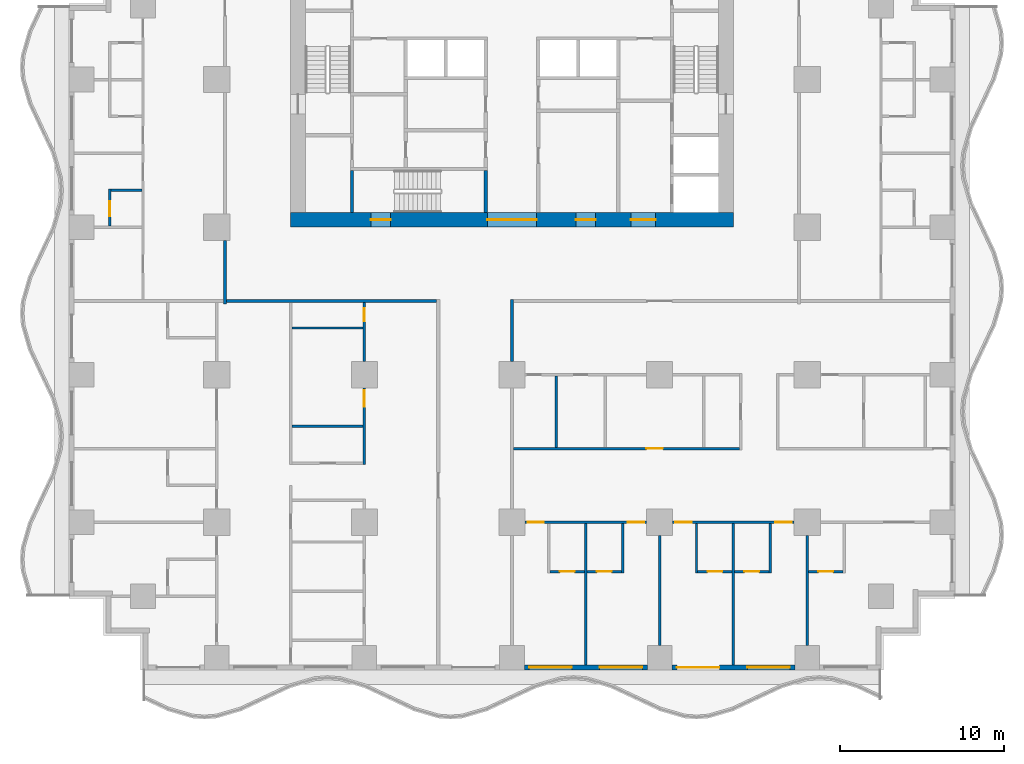
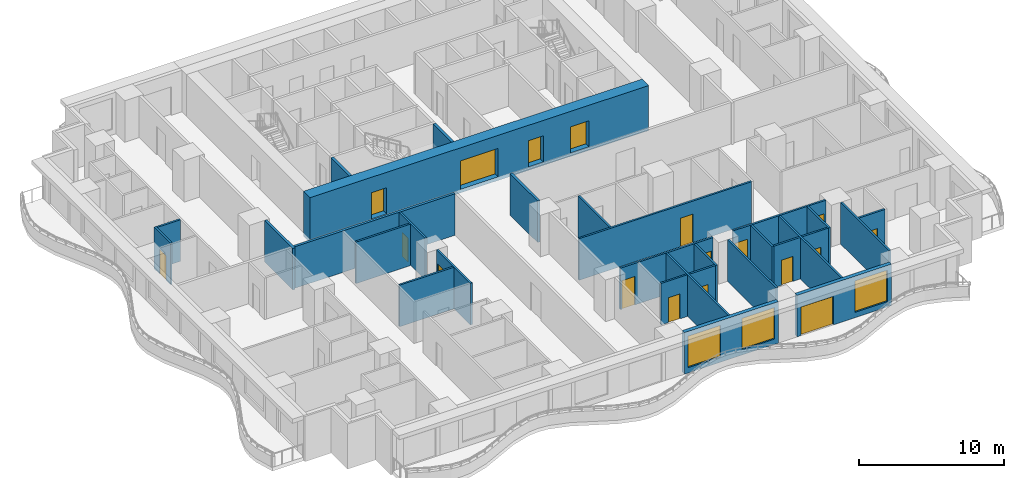
# One storey, part 3 of 14: 30 walls, 18 doors, 3 windows, 21 openings.
"""IFC4 building model written with IfcOpenShell, lengths in metres."""

from ifc_helpers import new_model, si_unit, direction, frame, frame_2d, origin, place, context, subcontext, project, spatial, rectangle, extrude, material, layer, layer_set, type_object, element, fill, save


model = new_model("IFC4")

# Units and contexts
model_context = context("Model", 3, precision=1e-05, world=origin(), true_north=direction((0.0, 1.0)))
body_context = subcontext(model_context, "Body", "Model", "MODEL_VIEW")
ifc_project = project(units=[si_unit("LENGTHUNIT", "METRE"), si_unit("AREAUNIT", "SQUARE_METRE"), si_unit("VOLUMEUNIT", "CUBIC_METRE"), si_unit("PLANEANGLEUNIT", "RADIAN"), si_unit("MASSUNIT", "GRAM", prefix="KILO")], contexts=[model_context])

# Site, building, storey
site_placement = place(None, origin())
site = spatial("IfcSite", under=ifc_project, at=site_placement, CompositionType="ELEMENT")
building_placement = place(site_placement, origin())
building = spatial("IfcBuilding", under=site, at=building_placement, Name="Orbiselva Terraces", CompositionType="ELEMENT")
storey_placement = place(building_placement, frame((0.0, 0.0, 15.0)))
storey = spatial("IfcBuildingStorey", under=building, at=storey_placement, Name="L03", CompositionType="ELEMENT", Elevation=15.0)

# Wall, openings, doors
ifc_material_1 = material(Name="Concrete C80/95", Category="concrete")
ifc_layer_1 = layer(ifc_material_1, 0.9)
ifc_layer_set_1 = layer_set([ifc_layer_1], Name="Concrete C80/95")
wall_type_1 = type_object("IfcWallType", Name="CORE WALL 900", PredefinedType="SHEAR", material=ifc_layer_set_1)
wall_1_placement = place(storey_placement, frame((-13.5, 4.95, -0.3), z_axis=(0.0, 0.0, 1.0), x_axis=(1.0, 0.0, 0.0)))
wall_1 = element("IfcWall", 1, at=wall_1_placement, inside=storey, type_object=wall_type_1, Name="Core wall L03 south", PredefinedType="SHEAR", context=body_context, shape_type="SweptSolid", body=[
    extrude(rectangle(XDim=27.0, YDim=0.9, at=frame_2d((13.5, 0.0))), origin(), (0.0, 0.0, 1.0), 3.8),
])
opening_1_placement = place(wall_1_placement, frame((12.0, 0.0, 0.3)))
opening_1 = element("IfcOpeningElement", 2, at=opening_1_placement, cuts=wall_1, Name="Opening DL3000", PredefinedType="OPENING", context=body_context, shape_type="SweptSolid", body=[
    extrude(rectangle(XDim=3.0, YDim=2.4, at=frame_2d((1.5, 1.2))), frame((0.0, 0.46, 0.0), z_axis=(0.0, -1.0, 0.0), x_axis=(1.0, 0.0, 0.0)), (0.0, 0.0, 1.0), 0.92),
])
opening_2_placement = place(wall_1_placement, frame((4.9, 0.0, 0.3)))
opening_2 = element("IfcOpeningElement", 3, at=opening_2_placement, cuts=wall_1, Name="Opening DS1200", PredefinedType="OPENING", context=body_context, shape_type="SweptSolid", body=[
    extrude(rectangle(XDim=1.2, YDim=2.2, at=frame_2d((0.6, 1.1))), frame((0.0, 0.46, 0.0), z_axis=(0.0, -1.0, 0.0), x_axis=(1.0, 0.0, 0.0)), (0.0, 0.0, 1.0), 0.92),
])
opening_3_placement = place(wall_1_placement, frame((20.75, 0.0, 0.3)))
opening_3 = element("IfcOpeningElement", 4, at=opening_3_placement, cuts=wall_1, Name="Opening DF1500", PredefinedType="OPENING", context=body_context, shape_type="SweptSolid", body=[
    extrude(rectangle(XDim=1.5, YDim=2.2, at=frame_2d((0.75, 1.1))), frame((0.0, 0.46, 0.0), z_axis=(0.0, -1.0, 0.0), x_axis=(1.0, 0.0, 0.0)), (0.0, 0.0, 1.0), 0.92),
])
opening_4_placement = place(wall_1_placement, frame((17.4, 0.0, 0.3)))
opening_4 = element("IfcOpeningElement", 5, at=opening_4_placement, cuts=wall_1, Name="Opening DV1200", PredefinedType="OPENING", context=body_context, shape_type="SweptSolid", body=[
    extrude(rectangle(XDim=1.2, YDim=2.2, at=frame_2d((0.6, 1.1))), frame((0.0, 0.46, 0.0), z_axis=(0.0, -1.0, 0.0), x_axis=(1.0, 0.0, 0.0)), (0.0, 0.0, 1.0), 0.92),
])
ifc_material_2 = material(Name="Steel fire door", Category="steel")
door_type_1 = type_object("IfcDoorType", Name="FFL DOOR 1500", OperationType="DOUBLE_DOOR_SINGLE_SWING", PredefinedType="DOOR", material=ifc_material_2)
door_1_placement = place(opening_3_placement, frame((1.5, 0.0, 0.0), z_axis=(0.0, 0.0, 1.0), x_axis=(-1.0, 0.0, 0.0)))
door_1 = element("IfcDoor", 6, at=door_1_placement, inside=storey, type_object=door_type_1, Name="L03 FIRE-FIGHTING LOBBY door", OperationType="DOUBLE_DOOR_SINGLE_SWING", OverallHeight=2.2, OverallWidth=1.5, PredefinedType="DOOR", context=body_context, shape_type="SweptSolid", body=[
    extrude(rectangle(XDim=1.5, YDim=2.2, at=frame_2d((0.75, 1.1))), frame((0.0, 0.025, 0.0), z_axis=(0.0, -1.0, 0.0), x_axis=(1.0, 0.0, 0.0)), (0.0, 0.0, 1.0), 0.05),
])
fill(opening_3, door_1)
door_type_2 = type_object("IfcDoorType", Name="LOBBY DOOR 3000", OperationType="DOUBLE_DOOR_SINGLE_SWING", PredefinedType="DOOR", material=ifc_material_2)
door_2_placement = place(opening_1_placement, frame((3.0, 0.0, 0.0), z_axis=(0.0, 0.0, 1.0), x_axis=(-1.0, 0.0, 0.0)))
door_2 = element("IfcDoor", 7, at=door_2_placement, inside=storey, type_object=door_type_2, Name="L03 LIFT LOBBY door", OperationType="DOUBLE_DOOR_SINGLE_SWING", OverallHeight=2.4, OverallWidth=3.0, PredefinedType="DOOR", context=body_context, shape_type="SweptSolid", body=[
    extrude(rectangle(XDim=3.0, YDim=2.4, at=frame_2d((1.5, 1.2))), frame((0.0, 0.025, 0.0), z_axis=(0.0, -1.0, 0.0), x_axis=(1.0, 0.0, 0.0)), (0.0, 0.0, 1.0), 0.05),
])
fill(opening_1, door_2)
door_type_3 = type_object("IfcDoorType", Name="SERVICE DOOR 1200", OperationType="NOTDEFINED", PredefinedType="DOOR", material=ifc_material_2)
door_3_placement = place(opening_4_placement, frame((1.2, 0.0, 0.0), z_axis=(0.0, 0.0, 1.0), x_axis=(-1.0, 0.0, 0.0)))
door_3 = element("IfcDoor", 8, at=door_3_placement, inside=storey, type_object=door_type_3, Name="L03 SERVICE ROOM door", OperationType="SINGLE_SWING_RIGHT", OverallHeight=2.2, OverallWidth=1.2, PredefinedType="DOOR", context=body_context, shape_type="SweptSolid", body=[
    extrude(rectangle(XDim=1.2, YDim=2.2, at=frame_2d((0.6, 1.1))), frame((0.0, 0.025, 0.0), z_axis=(0.0, -1.0, 0.0), x_axis=(1.0, 0.0, 0.0)), (0.0, 0.0, 1.0), 0.05),
])
fill(opening_4, door_3)
door_type_4 = type_object("IfcDoorType", Name="STAIR DOOR 1200", OperationType="NOTDEFINED", PredefinedType="DOOR", material=ifc_material_2)
door_4_placement = place(opening_2_placement, frame((1.2, 0.0, 0.0), z_axis=(0.0, 0.0, 1.0), x_axis=(-1.0, 0.0, 0.0)))
door_4 = element("IfcDoor", 9, at=door_4_placement, inside=storey, type_object=door_type_4, Name="L03 EXIT STAIR S3 door", OperationType="SINGLE_SWING_LEFT", OverallHeight=2.2, OverallWidth=1.2, PredefinedType="DOOR", context=body_context, shape_type="SweptSolid", body=[
    extrude(rectangle(XDim=1.2, YDim=2.2, at=frame_2d((0.6, 1.1))), frame((0.0, 0.025, 0.0), z_axis=(0.0, -1.0, 0.0), x_axis=(1.0, 0.0, 0.0)), (0.0, 0.0, 1.0), 0.05),
])
fill(opening_2, door_4)

# Walls
ifc_material_3 = material(Name="Concrete C60/75", Category="concrete")
ifc_layer_2 = layer(ifc_material_3, 0.2)
ifc_layer_set_2 = layer_set([ifc_layer_2], Name="Concrete C60/75")
wall_type_2 = type_object("IfcWallType", Name="CORE-WALL-SHEAR-200", PredefinedType="SHEAR", material=ifc_layer_set_2)
for number, where, z_axis, x_axis, name in (
    (10, (-9.75, 5.4, 0.0), (0.0, 0.0, 1.0), (0.0, 1.0, 0.0), "L03 core wall 03"),
    (11, (-1.6, 5.4, 0.0), (0.0, 0.0, 1.0), (0.0, 1.0, 0.0), "L03 core wall 24"),
):
    element("IfcWall", number, at=place(storey_placement, frame(where, z_axis=z_axis, x_axis=x_axis)), inside=storey, type_object=wall_type_2, Name=name, PredefinedType="SHEAR", context=body_context, shape_type="SweptSolid", body=[
        extrude(rectangle(XDim=2.55, YDim=0.2, at=frame_2d((1.275, 0.0))), origin(), (0.0, 0.0, 1.0), 3.5),
    ])

# Wall, openings, windows
ifc_material_4 = material(Name="Terracotta cladding on masonry backing", Category="masonry")
ifc_layer_3 = layer(ifc_material_4, 0.3)
ifc_layer_set_3 = layer_set([ifc_layer_3], Name="Terracotta cladding on masonry backing")
wall_type_3 = type_object("IfcWallType", Name="ENV-WALL-TERRACOTTA-300", PredefinedType="SOLIDWALL", material=ifc_layer_set_3)
wall_2_placement = place(storey_placement, frame((8.25, -22.35, 0.0), z_axis=(0.0, 0.0, 1.0), x_axis=(-1.0, 0.0, 0.0)))
wall_2 = element("IfcWall", 12, at=wall_2_placement, inside=storey, type_object=wall_type_3, Name="Facade wall L03 S", PredefinedType="SOLIDWALL", context=body_context, shape_type="SweptSolid", body=[
    extrude(rectangle(XDim=7.5, YDim=0.3, at=frame_2d((3.75, 0.0))), origin(), (0.0, 0.0, 1.0), 3.5),
])
opening_5_placement = place(wall_2_placement, frame((4.6, 0.0, 0.45)))
opening_5 = element("IfcOpeningElement", 13, at=opening_5_placement, cuts=wall_2, Name="Opening WN1", PredefinedType="OPENING", context=body_context, shape_type="SweptSolid", body=[
    extrude(rectangle(XDim=2.6, YDim=2.65, at=frame_2d((1.3, 1.325))), frame((0.0, 0.16, 0.0), z_axis=(0.0, -1.0, 0.0), x_axis=(1.0, 0.0, 0.0)), (0.0, 0.0, 1.0), 0.32),
])
opening_6_placement = place(wall_2_placement, frame((0.3, 0.0, 0.45)))
opening_6 = element("IfcOpeningElement", 14, at=opening_6_placement, cuts=wall_2, Name="Opening WN1", PredefinedType="OPENING", context=body_context, shape_type="SweptSolid", body=[
    extrude(rectangle(XDim=2.6, YDim=2.65, at=frame_2d((1.3, 1.325))), frame((0.0, 0.16, 0.0), z_axis=(0.0, -1.0, 0.0), x_axis=(1.0, 0.0, 0.0)), (0.0, 0.0, 1.0), 0.32),
])
ifc_material_5 = material(Name="Clear low-e glazing in aluminium frame", Category="aluminium")
window_type = type_object("IfcWindowType", Name="WINDOW 2600 X 2650 S450", PartitioningType="TRIPLE_PANEL_VERTICAL", PredefinedType="WINDOW", material=ifc_material_5)
window_1_placement = place(opening_5_placement, origin())
window_1 = element("IfcWindow", 15, at=window_1_placement, inside=storey, type_object=window_type, Name="Window L03 S", OverallHeight=2.65, OverallWidth=2.6, PartitioningType="SINGLE_PANEL", PredefinedType="WINDOW", context=body_context, shape_type="SweptSolid", body=[
    extrude(rectangle(XDim=2.6, YDim=2.65, at=frame_2d((1.3, 1.325))), frame((0.0, 0.03, 0.0), z_axis=(0.0, -1.0, 0.0), x_axis=(1.0, 0.0, 0.0)), (0.0, 0.0, 1.0), 0.06),
])
fill(opening_5, window_1)
window_2_placement = place(opening_6_placement, origin())
window_2 = element("IfcWindow", 16, at=window_2_placement, inside=storey, type_object=window_type, Name="Window L03 S", OverallHeight=2.65, OverallWidth=2.6, PartitioningType="SINGLE_PANEL", PredefinedType="WINDOW", context=body_context, shape_type="SweptSolid", body=[
    extrude(rectangle(XDim=2.6, YDim=2.65, at=frame_2d((1.3, 1.325))), frame((0.0, 0.03, 0.0), z_axis=(0.0, -1.0, 0.0), x_axis=(1.0, 0.0, 0.0)), (0.0, 0.0, 1.0), 0.06),
])
fill(opening_6, window_2)

# Wall, openings, door, window
wall_3_placement = place(storey_placement, frame((17.25, -22.35, 0.0), z_axis=(0.0, 0.0, 1.0), x_axis=(-1.0, 0.0, 0.0)))
wall_3 = element("IfcWall", 17, at=wall_3_placement, inside=storey, type_object=wall_type_3, Name="Facade wall L03 S", PredefinedType="SOLIDWALL", context=body_context, shape_type="SweptSolid", body=[
    extrude(rectangle(XDim=7.5, YDim=0.3, at=frame_2d((3.75, 0.0))), origin(), (0.0, 0.0, 1.0), 3.5),
])
opening_7_placement = place(wall_3_placement, frame((4.6, 0.0, 0.0)))
opening_7 = element("IfcOpeningElement", 18, at=opening_7_placement, cuts=wall_3, Name="Opening Z1-A-E03", PredefinedType="OPENING", context=body_context, shape_type="SweptSolid", body=[
    extrude(rectangle(XDim=2.6, YDim=2.4, at=frame_2d((1.3, 1.2))), frame((0.0, 0.16, 0.0), z_axis=(0.0, -1.0, 0.0), x_axis=(1.0, 0.0, 0.0)), (0.0, 0.0, 1.0), 0.32),
])
opening_8_placement = place(wall_3_placement, frame((0.3, 0.0, 0.45)))
opening_8 = element("IfcOpeningElement", 19, at=opening_8_placement, cuts=wall_3, Name="Opening WN1", PredefinedType="OPENING", context=body_context, shape_type="SweptSolid", body=[
    extrude(rectangle(XDim=2.6, YDim=2.65, at=frame_2d((1.3, 1.325))), frame((0.0, 0.16, 0.0), z_axis=(0.0, -1.0, 0.0), x_axis=(1.0, 0.0, 0.0)), (0.0, 0.0, 1.0), 0.32),
])
door_type_5 = type_object("IfcDoorType", Name="BALCONY DOOR 2600 X 2400", OperationType="DOUBLE_DOOR_SLIDING", PredefinedType="DOOR", material=ifc_material_5)
door_5_placement = place(opening_7_placement, origin())
door_5 = element("IfcDoor", 20, at=door_5_placement, inside=storey, type_object=door_type_5, Name="Z1-A-E03", OperationType="SINGLE_SWING_LEFT", OverallHeight=2.4, OverallWidth=2.6, PredefinedType="DOOR", context=body_context, shape_type="SweptSolid", body=[
    extrude(rectangle(XDim=2.6, YDim=2.4, at=frame_2d((1.3, 1.2))), frame((0.0, 0.025, 0.0), z_axis=(0.0, -1.0, 0.0), x_axis=(1.0, 0.0, 0.0)), (0.0, 0.0, 1.0), 0.05),
])
fill(opening_7, door_5)
window_3_placement = place(opening_8_placement, origin())
window_3 = element("IfcWindow", 21, at=window_3_placement, inside=storey, type_object=window_type, Name="Window L03 S", OverallHeight=2.65, OverallWidth=2.6, PartitioningType="SINGLE_PANEL", PredefinedType="WINDOW", context=body_context, shape_type="SweptSolid", body=[
    extrude(rectangle(XDim=2.6, YDim=2.65, at=frame_2d((1.3, 1.325))), frame((0.0, 0.03, 0.0), z_axis=(0.0, -1.0, 0.0), x_axis=(1.0, 0.0, 0.0)), (0.0, 0.0, 1.0), 0.06),
])
fill(opening_8, window_3)

# Walls
ifc_material_6 = material(Name="Plasterboard on steel stud partition", Category="steel")
ifc_layer_4 = layer(ifc_material_6, 0.2)
ifc_layer_set_4 = layer_set([ifc_layer_4], Name="Plasterboard on steel stud partition")
wall_type_4 = type_object("IfcWallType", Name="UNIT-ENTRANCE-WALL-200", PredefinedType="PARTITIONING", material=ifc_layer_set_4)
wall_4_placement = place(storey_placement, frame((-17.4, 0.0, 0.0), z_axis=(0.0, 0.0, 1.0), x_axis=(1.0, 0.0, 0.0)))
element("IfcWall", 22, at=wall_4_placement, inside=storey, type_object=wall_type_4, Name="PARTITION L03-029", PredefinedType="PARTITIONING", context=body_context, shape_type="SweptSolid", body=[
    extrude(rectangle(XDim=12.8, YDim=0.2, at=frame_2d((6.4, 0.0))), origin(), (0.0, 0.0, 1.0), 3.5),
])
wall_5_placement = place(storey_placement, frame((-17.5, -0.2, 0.0), z_axis=(0.0, 0.0, 1.0), x_axis=(0.0, 1.0, 0.0)))
element("IfcWall", 23, at=wall_5_placement, inside=storey, type_object=wall_type_4, Name="PARTITION L03-057", PredefinedType="PARTITIONING", context=body_context, shape_type="SweptSolid", body=[
    extrude(rectangle(XDim=3.9, YDim=0.2, at=frame_2d((1.95, 0.0))), origin(), (0.0, 0.0, 1.0), 3.5),
])
wall_6_placement = place(storey_placement, frame((0.0, -3.7, 0.0), z_axis=(0.0, 0.0, 1.0), x_axis=(0.0, 1.0, 0.0)))
element("IfcWall", 24, at=wall_6_placement, inside=storey, type_object=wall_type_4, Name="PARTITION L03-069", PredefinedType="PARTITIONING", context=body_context, shape_type="SweptSolid", body=[
    extrude(rectangle(XDim=3.8, YDim=0.2, at=frame_2d((1.9, 0.0))), origin(), (0.0, 0.0, 1.0), 3.5),
])

# Wall, opening, door
ifc_layer_5 = layer(ifc_material_6, 0.15)
ifc_layer_set_5 = layer_set([ifc_layer_5], Name="Plasterboard on steel stud partition")
wall_type_5 = type_object("IfcWallType", Name="UNIT-PARTITION-150", PredefinedType="PARTITIONING", material=ifc_layer_set_5)
wall_7_placement = place(storey_placement, frame((2.325, -16.5, 0.0), z_axis=(0.0, 0.0, 1.0), x_axis=(1.0, 0.0, 0.0)))
wall_7 = element("IfcWall", 25, at=wall_7_placement, inside=storey, type_object=wall_type_5, Name="PARTITION L03-005", PredefinedType="PARTITIONING", context=body_context, shape_type="SweptSolid", body=[
    extrude(rectangle(XDim=2.1, YDim=0.15, at=frame_2d((1.05, 0.0))), origin(), (0.0, 0.0, 1.0), 3.5),
])
opening_9_placement = place(wall_7_placement, frame((0.6, 0.0, 0.0)))
opening_9 = element("IfcOpeningElement", 26, at=opening_9_placement, cuts=wall_7, Name="Opening Z1-A-41", PredefinedType="OPENING", context=body_context, shape_type="SweptSolid", body=[
    extrude(rectangle(XDim=0.9, YDim=2.1, at=frame_2d((0.45, 1.05))), frame((0.0, 0.085, 0.0), z_axis=(0.0, -1.0, 0.0), x_axis=(1.0, 0.0, 0.0)), (0.0, 0.0, 1.0), 0.17),
])
ifc_material_7 = material(Name="Painted timber door leaf", Category="wood")
door_type_6 = type_object("IfcDoorType", Name="BATH DOOR 900", OperationType="NOTDEFINED", PredefinedType="DOOR", material=ifc_material_7)
door_6_placement = place(opening_9_placement, origin())
door_6 = element("IfcDoor", 27, at=door_6_placement, inside=storey, type_object=door_type_6, Name="Z1-A-41", OperationType="SINGLE_SWING_RIGHT", OverallHeight=2.1, OverallWidth=0.9, PredefinedType="DOOR", context=body_context, shape_type="SweptSolid", body=[
    extrude(rectangle(XDim=0.9, YDim=2.1, at=frame_2d((0.45, 1.05))), frame((0.0, 0.025, 0.0), z_axis=(0.0, -1.0, 0.0), x_axis=(1.0, 0.0, 0.0)), (0.0, 0.0, 1.0), 0.05),
])
fill(opening_9, door_6)

wall_8_placement = place(storey_placement, frame((4.575, -16.5, 0.0), z_axis=(0.0, 0.0, 1.0), x_axis=(1.0, 0.0, 0.0)))
wall_8 = element("IfcWall", 28, at=wall_8_placement, inside=storey, type_object=wall_type_5, Name="PARTITION L03-006", PredefinedType="PARTITIONING", context=body_context, shape_type="SweptSolid", body=[
    extrude(rectangle(XDim=2.1, YDim=0.15, at=frame_2d((1.05, 0.0))), origin(), (0.0, 0.0, 1.0), 3.5),
])
opening_10_placement = place(wall_8_placement, frame((0.6, 0.0, 0.0)))
opening_10 = element("IfcOpeningElement", 29, at=opening_10_placement, cuts=wall_8, Name="Opening Z1-A-43", PredefinedType="OPENING", context=body_context, shape_type="SweptSolid", body=[
    extrude(rectangle(XDim=0.9, YDim=2.1, at=frame_2d((0.45, 1.05))), frame((0.0, 0.085, 0.0), z_axis=(0.0, -1.0, 0.0), x_axis=(1.0, 0.0, 0.0)), (0.0, 0.0, 1.0), 0.17),
])
door_7_placement = place(opening_10_placement, origin())
door_7 = element("IfcDoor", 30, at=door_7_placement, inside=storey, type_object=door_type_6, Name="Z1-A-43", OperationType="SINGLE_SWING_LEFT", OverallHeight=2.1, OverallWidth=0.9, PredefinedType="DOOR", context=body_context, shape_type="SweptSolid", body=[
    extrude(rectangle(XDim=0.9, YDim=2.1, at=frame_2d((0.45, 1.05))), frame((0.0, 0.025, 0.0), z_axis=(0.0, -1.0, 0.0), x_axis=(1.0, 0.0, 0.0)), (0.0, 0.0, 1.0), 0.05),
])
fill(opening_10, door_7)

wall_9_placement = place(storey_placement, frame((11.325, -16.5, 0.0), z_axis=(0.0, 0.0, 1.0), x_axis=(1.0, 0.0, 0.0)))
wall_9 = element("IfcWall", 31, at=wall_9_placement, inside=storey, type_object=wall_type_5, Name="PARTITION L03-007", PredefinedType="PARTITIONING", context=body_context, shape_type="SweptSolid", body=[
    extrude(rectangle(XDim=2.1, YDim=0.15, at=frame_2d((1.05, 0.0))), origin(), (0.0, 0.0, 1.0), 3.5),
])
opening_11_placement = place(wall_9_placement, frame((0.6, 0.0, 0.0)))
opening_11 = element("IfcOpeningElement", 32, at=opening_11_placement, cuts=wall_9, Name="Opening Z1-A-45", PredefinedType="OPENING", context=body_context, shape_type="SweptSolid", body=[
    extrude(rectangle(XDim=0.9, YDim=2.1, at=frame_2d((0.45, 1.05))), frame((0.0, 0.085, 0.0), z_axis=(0.0, -1.0, 0.0), x_axis=(1.0, 0.0, 0.0)), (0.0, 0.0, 1.0), 0.17),
])
door_8_placement = place(opening_11_placement, origin())
door_8 = element("IfcDoor", 33, at=door_8_placement, inside=storey, type_object=door_type_6, Name="Z1-A-45", OperationType="SINGLE_SWING_LEFT", OverallHeight=2.1, OverallWidth=0.9, PredefinedType="DOOR", context=body_context, shape_type="SweptSolid", body=[
    extrude(rectangle(XDim=0.9, YDim=2.1, at=frame_2d((0.45, 1.05))), frame((0.0, 0.025, 0.0), z_axis=(0.0, -1.0, 0.0), x_axis=(1.0, 0.0, 0.0)), (0.0, 0.0, 1.0), 0.05),
])
fill(opening_11, door_8)

wall_10_placement = place(storey_placement, frame((13.575, -16.5, 0.0), z_axis=(0.0, 0.0, 1.0), x_axis=(1.0, 0.0, 0.0)))
wall_10 = element("IfcWall", 34, at=wall_10_placement, inside=storey, type_object=wall_type_5, Name="PARTITION L03-008", PredefinedType="PARTITIONING", context=body_context, shape_type="SweptSolid", body=[
    extrude(rectangle(XDim=2.1, YDim=0.15, at=frame_2d((1.05, 0.0))), origin(), (0.0, 0.0, 1.0), 3.5),
])
opening_12_placement = place(wall_10_placement, frame((0.6, 0.0, 0.0)))
opening_12 = element("IfcOpeningElement", 35, at=opening_12_placement, cuts=wall_10, Name="Opening Z1-A-47", PredefinedType="OPENING", context=body_context, shape_type="SweptSolid", body=[
    extrude(rectangle(XDim=0.9, YDim=2.1, at=frame_2d((0.45, 1.05))), frame((0.0, 0.085, 0.0), z_axis=(0.0, -1.0, 0.0), x_axis=(1.0, 0.0, 0.0)), (0.0, 0.0, 1.0), 0.17),
])
door_9_placement = place(opening_12_placement, origin())
door_9 = element("IfcDoor", 36, at=door_9_placement, inside=storey, type_object=door_type_6, Name="Z1-A-47", OperationType="SINGLE_SWING_LEFT", OverallHeight=2.1, OverallWidth=0.9, PredefinedType="DOOR", context=body_context, shape_type="SweptSolid", body=[
    extrude(rectangle(XDim=0.9, YDim=2.1, at=frame_2d((0.45, 1.05))), frame((0.0, 0.025, 0.0), z_axis=(0.0, -1.0, 0.0), x_axis=(1.0, 0.0, 0.0)), (0.0, 0.0, 1.0), 0.05),
])
fill(opening_12, door_9)

wall_11_placement = place(storey_placement, frame((18.075, -16.5, 0.0), z_axis=(0.0, 0.0, 1.0), x_axis=(1.0, 0.0, 0.0)))
wall_11 = element("IfcWall", 37, at=wall_11_placement, inside=storey, type_object=wall_type_5, Name="PARTITION L03-009", PredefinedType="PARTITIONING", context=body_context, shape_type="SweptSolid", body=[
    extrude(rectangle(XDim=2.1, YDim=0.15, at=frame_2d((1.05, 0.0))), origin(), (0.0, 0.0, 1.0), 3.5),
])
opening_13_placement = place(wall_11_placement, frame((0.6, 0.0, 0.0)))
opening_13 = element("IfcOpeningElement", 38, at=opening_13_placement, cuts=wall_11, Name="Opening Z1-A-49", PredefinedType="OPENING", context=body_context, shape_type="SweptSolid", body=[
    extrude(rectangle(XDim=0.9, YDim=2.1, at=frame_2d((0.45, 1.05))), frame((0.0, 0.085, 0.0), z_axis=(0.0, -1.0, 0.0), x_axis=(1.0, 0.0, 0.0)), (0.0, 0.0, 1.0), 0.17),
])
door_10_placement = place(opening_13_placement, origin())
door_10 = element("IfcDoor", 39, at=door_10_placement, inside=storey, type_object=door_type_6, Name="Z1-A-49", OperationType="SINGLE_SWING_LEFT", OverallHeight=2.1, OverallWidth=0.9, PredefinedType="DOOR", context=body_context, shape_type="SweptSolid", body=[
    extrude(rectangle(XDim=0.9, YDim=2.1, at=frame_2d((0.45, 1.05))), frame((0.0, 0.025, 0.0), z_axis=(0.0, -1.0, 0.0), x_axis=(1.0, 0.0, 0.0)), (0.0, 0.0, 1.0), 0.05),
])
fill(opening_13, door_10)

# Wall, openings, doors
wall_12_placement = place(storey_placement, frame((8.2, -13.5, 0.0), z_axis=(0.0, 0.0, 1.0), x_axis=(-1.0, 0.0, 0.0)))
wall_12 = element("IfcWall", 40, at=wall_12_placement, inside=storey, type_object=wall_type_5, Name="PARTITION L03-013", PredefinedType="PARTITIONING", context=body_context, shape_type="SweptSolid", body=[
    extrude(rectangle(XDim=7.4, YDim=0.15, at=frame_2d((3.7, 0.0))), origin(), (0.0, 0.0, 1.0), 3.5),
])
opening_14_placement = place(wall_12_placement, frame((6.25, 0.0, 0.0)))
opening_14 = element("IfcOpeningElement", 41, at=opening_14_placement, cuts=wall_12, Name="Opening Z1-A-40", PredefinedType="OPENING", context=body_context, shape_type="SweptSolid", body=[
    extrude(rectangle(XDim=1.0, YDim=2.4, at=frame_2d((0.5, 1.2))), frame((0.0, 0.085, 0.0), z_axis=(0.0, -1.0, 0.0), x_axis=(1.0, 0.0, 0.0)), (0.0, 0.0, 1.0), 0.17),
])
opening_15_placement = place(wall_12_placement, frame((0.15, 0.0, 0.0)))
opening_15 = element("IfcOpeningElement", 42, at=opening_15_placement, cuts=wall_12, Name="Opening Z1-A-42", PredefinedType="OPENING", context=body_context, shape_type="SweptSolid", body=[
    extrude(rectangle(XDim=1.0, YDim=2.4, at=frame_2d((0.5, 1.2))), frame((0.0, 0.085, 0.0), z_axis=(0.0, -1.0, 0.0), x_axis=(1.0, 0.0, 0.0)), (0.0, 0.0, 1.0), 0.17),
])
door_type_7 = type_object("IfcDoorType", Name="ROOM DOOR 1000", OperationType="NOTDEFINED", PredefinedType="DOOR", material=ifc_material_7)
door_11_placement = place(opening_14_placement, origin())
door_11 = element("IfcDoor", 43, at=door_11_placement, inside=storey, type_object=door_type_7, Name="Z1-A-40", OperationType="SINGLE_SWING_RIGHT", OverallHeight=2.4, OverallWidth=1.0, PredefinedType="DOOR", context=body_context, shape_type="SweptSolid", body=[
    extrude(rectangle(XDim=1.0, YDim=2.4, at=frame_2d((0.5, 1.2))), frame((0.0, 0.025, 0.0), z_axis=(0.0, -1.0, 0.0), x_axis=(1.0, 0.0, 0.0)), (0.0, 0.0, 1.0), 0.05),
])
fill(opening_14, door_11)
door_12_placement = place(opening_15_placement, origin())
door_12 = element("IfcDoor", 44, at=door_12_placement, inside=storey, type_object=door_type_7, Name="Z1-A-42", OperationType="SINGLE_SWING_LEFT", OverallHeight=2.4, OverallWidth=1.0, PredefinedType="DOOR", context=body_context, shape_type="SweptSolid", body=[
    extrude(rectangle(XDim=1.0, YDim=2.4, at=frame_2d((0.5, 1.2))), frame((0.0, 0.025, 0.0), z_axis=(0.0, -1.0, 0.0), x_axis=(1.0, 0.0, 0.0)), (0.0, 0.0, 1.0), 0.05),
])
fill(opening_15, door_12)

wall_13_placement = place(storey_placement, frame((17.2, -13.5, 0.0), z_axis=(0.0, 0.0, 1.0), x_axis=(-1.0, 0.0, 0.0)))
wall_13 = element("IfcWall", 45, at=wall_13_placement, inside=storey, type_object=wall_type_5, Name="PARTITION L03-014", PredefinedType="PARTITIONING", context=body_context, shape_type="SweptSolid", body=[
    extrude(rectangle(XDim=7.4, YDim=0.15, at=frame_2d((3.7, 0.0))), origin(), (0.0, 0.0, 1.0), 3.5),
])
opening_16_placement = place(wall_13_placement, frame((6.25, 0.0, 0.0)))
opening_16 = element("IfcOpeningElement", 46, at=opening_16_placement, cuts=wall_13, Name="Opening Z1-A-44", PredefinedType="OPENING", context=body_context, shape_type="SweptSolid", body=[
    extrude(rectangle(XDim=1.0, YDim=2.4, at=frame_2d((0.5, 1.2))), frame((0.0, 0.085, 0.0), z_axis=(0.0, -1.0, 0.0), x_axis=(1.0, 0.0, 0.0)), (0.0, 0.0, 1.0), 0.17),
])
opening_17_placement = place(wall_13_placement, frame((0.15, 0.0, 0.0)))
opening_17 = element("IfcOpeningElement", 47, at=opening_17_placement, cuts=wall_13, Name="Opening Z1-A-46", PredefinedType="OPENING", context=body_context, shape_type="SweptSolid", body=[
    extrude(rectangle(XDim=1.0, YDim=2.4, at=frame_2d((0.5, 1.2))), frame((0.0, 0.085, 0.0), z_axis=(0.0, -1.0, 0.0), x_axis=(1.0, 0.0, 0.0)), (0.0, 0.0, 1.0), 0.17),
])
door_13_placement = place(opening_16_placement, origin())
door_13 = element("IfcDoor", 48, at=door_13_placement, inside=storey, type_object=door_type_7, Name="Z1-A-44", OperationType="SINGLE_SWING_RIGHT", OverallHeight=2.4, OverallWidth=1.0, PredefinedType="DOOR", context=body_context, shape_type="SweptSolid", body=[
    extrude(rectangle(XDim=1.0, YDim=2.4, at=frame_2d((0.5, 1.2))), frame((0.0, 0.025, 0.0), z_axis=(0.0, -1.0, 0.0), x_axis=(1.0, 0.0, 0.0)), (0.0, 0.0, 1.0), 0.05),
])
fill(opening_16, door_13)
door_14_placement = place(opening_17_placement, origin())
door_14 = element("IfcDoor", 49, at=door_14_placement, inside=storey, type_object=door_type_7, Name="Z1-A-46", OperationType="SINGLE_SWING_LEFT", OverallHeight=2.4, OverallWidth=1.0, PredefinedType="DOOR", context=body_context, shape_type="SweptSolid", body=[
    extrude(rectangle(XDim=1.0, YDim=2.4, at=frame_2d((0.5, 1.2))), frame((0.0, 0.025, 0.0), z_axis=(0.0, -1.0, 0.0), x_axis=(1.0, 0.0, 0.0)), (0.0, 0.0, 1.0), 0.05),
])
fill(opening_17, door_14)

# Wall, opening, door
wall_14_placement = place(storey_placement, frame((0.1, -9.0, 0.0), z_axis=(0.0, 0.0, 1.0), x_axis=(1.0, 0.0, 0.0)))
wall_14 = element("IfcWall", 50, at=wall_14_placement, inside=storey, type_object=wall_type_5, Name="PARTITION L03-020", PredefinedType="PARTITIONING", context=body_context, shape_type="SweptSolid", body=[
    extrude(rectangle(XDim=13.775, YDim=0.15, at=frame_2d((6.8875, 0.0))), origin(), (0.0, 0.0, 1.0), 3.5),
])
opening_18_placement = place(wall_14_placement, frame((8.1, 0.0, 0.0)))
opening_18 = element("IfcOpeningElement", 51, at=opening_18_placement, cuts=wall_14, Name="Opening Z1-A-35", PredefinedType="OPENING", context=body_context, shape_type="SweptSolid", body=[
    extrude(rectangle(XDim=1.0, YDim=2.4, at=frame_2d((0.5, 1.2))), frame((0.0, 0.085, 0.0), z_axis=(0.0, -1.0, 0.0), x_axis=(1.0, 0.0, 0.0)), (0.0, 0.0, 1.0), 0.17),
])
door_15_placement = place(opening_18_placement, origin())
door_15 = element("IfcDoor", 52, at=door_15_placement, inside=storey, type_object=door_type_7, Name="Z1-A-35", OperationType="SINGLE_SWING_RIGHT", OverallHeight=2.4, OverallWidth=1.0, PredefinedType="DOOR", context=body_context, shape_type="SweptSolid", body=[
    extrude(rectangle(XDim=1.0, YDim=2.4, at=frame_2d((0.5, 1.2))), frame((0.0, 0.025, 0.0), z_axis=(0.0, -1.0, 0.0), x_axis=(1.0, 0.0, 0.0)), (0.0, 0.0, 1.0), 0.05),
])
fill(opening_18, door_15)

# Walls
for number, where, z_axis, x_axis, name in (
    (53, (-13.425, -7.65, 0.0), (0.0, 0.0, 1.0), (1.0, 0.0, 0.0), "PARTITION L03-022"),
    (54, (-13.425, -1.65, 0.0), (0.0, 0.0, 1.0), (1.0, 0.0, 0.0), "PARTITION L03-028"),
):
    element("IfcWall", number, at=place(storey_placement, frame(where, z_axis=z_axis, x_axis=x_axis)), inside=storey, type_object=wall_type_5, Name=name, PredefinedType="PARTITIONING", context=body_context, shape_type="SweptSolid", body=[
        extrude(rectangle(XDim=4.35, YDim=0.15, at=frame_2d((2.175, 0.0))), origin(), (0.0, 0.0, 1.0), 3.5),
    ])
wall_15_placement = place(storey_placement, frame((-24.45, 6.75, 0.0), z_axis=(0.0, 0.0, 1.0), x_axis=(1.0, 0.0, 0.0)))
element("IfcWall", 55, at=wall_15_placement, inside=storey, type_object=wall_type_5, Name="PARTITION L03-035", PredefinedType="PARTITIONING", context=body_context, shape_type="SweptSolid", body=[
    extrude(rectangle(XDim=1.875, YDim=0.15, at=frame_2d((0.9375, 0.0))), origin(), (0.0, 0.0, 1.0), 3.5),
])

# Wall, opening, door
wall_16_placement = place(storey_placement, frame((-24.525, 6.825, 0.0), z_axis=(0.0, 0.0, 1.0), x_axis=(0.0, -1.0, 0.0)))
wall_16 = element("IfcWall", 56, at=wall_16_placement, inside=storey, type_object=wall_type_5, Name="PARTITION L03-047", PredefinedType="PARTITIONING", context=body_context, shape_type="SweptSolid", body=[
    extrude(rectangle(XDim=2.25, YDim=0.15, at=frame_2d((1.125, 0.0))), origin(), (0.0, 0.0, 1.0), 3.5),
])
opening_19_placement = place(wall_16_placement, frame((0.75, 0.0, 0.0)))
opening_19 = element("IfcOpeningElement", 57, at=opening_19_placement, cuts=wall_16, Name="Opening Z1-A-04", PredefinedType="OPENING", context=body_context, shape_type="SweptSolid", body=[
    extrude(rectangle(XDim=0.9, YDim=2.1, at=frame_2d((0.45, 1.05))), frame((0.0, 0.085, 0.0), z_axis=(0.0, -1.0, 0.0), x_axis=(1.0, 0.0, 0.0)), (0.0, 0.0, 1.0), 0.17),
])
door_16_placement = place(opening_19_placement, origin())
door_16 = element("IfcDoor", 58, at=door_16_placement, inside=storey, type_object=door_type_6, Name="Z1-A-04", OperationType="SINGLE_SWING_RIGHT", OverallHeight=2.1, OverallWidth=0.9, PredefinedType="DOOR", context=body_context, shape_type="SweptSolid", body=[
    extrude(rectangle(XDim=0.9, YDim=2.1, at=frame_2d((0.45, 1.05))), frame((0.0, 0.025, 0.0), z_axis=(0.0, -1.0, 0.0), x_axis=(1.0, 0.0, 0.0)), (0.0, 0.0, 1.0), 0.05),
])
fill(opening_19, door_16)

wall_17_placement = place(storey_placement, frame((-9.0, -9.975, 0.0), z_axis=(0.0, 0.0, 1.0), x_axis=(0.0, 1.0, 0.0)))
wall_17 = element("IfcWall", 59, at=wall_17_placement, inside=storey, type_object=wall_type_5, Name="PARTITION L03-064", PredefinedType="PARTITIONING", context=body_context, shape_type="SweptSolid", body=[
    extrude(rectangle(XDim=4.675, YDim=0.15, at=frame_2d((2.3375, 0.0))), origin(), (0.0, 0.0, 1.0), 3.5),
])
opening_20_placement = place(wall_17_placement, frame((3.525, 0.0, 0.0)))
opening_20 = element("IfcOpeningElement", 60, at=opening_20_placement, cuts=wall_17, Name="Opening Z1-A-19", PredefinedType="OPENING", context=body_context, shape_type="SweptSolid", body=[
    extrude(rectangle(XDim=1.0, YDim=2.4, at=frame_2d((0.5, 1.2))), frame((0.0, 0.085, 0.0), z_axis=(0.0, -1.0, 0.0), x_axis=(1.0, 0.0, 0.0)), (0.0, 0.0, 1.0), 0.17),
])
door_17_placement = place(opening_20_placement, origin())
door_17 = element("IfcDoor", 61, at=door_17_placement, inside=storey, type_object=door_type_7, Name="Z1-A-19", OperationType="SINGLE_SWING_RIGHT", OverallHeight=2.4, OverallWidth=1.0, PredefinedType="DOOR", context=body_context, shape_type="SweptSolid", body=[
    extrude(rectangle(XDim=1.0, YDim=2.4, at=frame_2d((0.5, 1.2))), frame((0.0, 0.025, 0.0), z_axis=(0.0, -1.0, 0.0), x_axis=(1.0, 0.0, 0.0)), (0.0, 0.0, 1.0), 0.05),
])
fill(opening_20, door_17)

wall_18_placement = place(storey_placement, frame((-9.0, -3.7, 0.0), z_axis=(0.0, 0.0, 1.0), x_axis=(0.0, 1.0, 0.0)))
wall_18 = element("IfcWall", 62, at=wall_18_placement, inside=storey, type_object=wall_type_5, Name="PARTITION L03-065", PredefinedType="PARTITIONING", context=body_context, shape_type="SweptSolid", body=[
    extrude(rectangle(XDim=3.6, YDim=0.15, at=frame_2d((1.8, 0.0))), origin(), (0.0, 0.0, 1.0), 3.5),
])
opening_21_placement = place(wall_18_placement, frame((2.45, 0.0, 0.0)))
opening_21 = element("IfcOpeningElement", 63, at=opening_21_placement, cuts=wall_18, Name="Opening Z1-A-18", PredefinedType="OPENING", context=body_context, shape_type="SweptSolid", body=[
    extrude(rectangle(XDim=0.8, YDim=2.0, at=frame_2d((0.4, 1.0))), frame((0.0, 0.085, 0.0), z_axis=(0.0, -1.0, 0.0), x_axis=(1.0, 0.0, 0.0)), (0.0, 0.0, 1.0), 0.17),
])
door_type_8 = type_object("IfcDoorType", Name="STORE DOOR 800", OperationType="NOTDEFINED", PredefinedType="DOOR", material=ifc_material_7)
door_18_placement = place(opening_21_placement, origin())
door_18 = element("IfcDoor", 64, at=door_18_placement, inside=storey, type_object=door_type_8, Name="Z1-A-18", OperationType="SINGLE_SWING_RIGHT", OverallHeight=2.0, OverallWidth=0.8, PredefinedType="DOOR", context=body_context, shape_type="SweptSolid", body=[
    extrude(rectangle(XDim=0.8, YDim=2.0, at=frame_2d((0.4, 1.0))), frame((0.0, 0.025, 0.0), z_axis=(0.0, -1.0, 0.0), x_axis=(1.0, 0.0, 0.0)), (0.0, 0.0, 1.0), 0.05),
])
fill(opening_21, door_18)

# Walls
wall_19_placement = place(storey_placement, frame((2.7, -8.925, 0.0), z_axis=(0.0, 0.0, 1.0), x_axis=(0.0, 1.0, 0.0)))
element("IfcWall", 65, at=wall_19_placement, inside=storey, type_object=wall_type_5, Name="PARTITION L03-071", PredefinedType="PARTITIONING", context=body_context, shape_type="SweptSolid", body=[
    extrude(rectangle(XDim=4.35, YDim=0.15, at=frame_2d((2.175, 0.0))), origin(), (0.0, 0.0, 1.0), 3.5),
])
wall_20_placement = place(storey_placement, frame((4.5, -22.2, 0.0), z_axis=(0.0, 0.0, 1.0), x_axis=(0.0, 1.0, 0.0)))
element("IfcWall", 66, at=wall_20_placement, inside=storey, type_object=wall_type_5, Name="PARTITION L03-072", PredefinedType="PARTITIONING", context=body_context, shape_type="SweptSolid", body=[
    extrude(rectangle(XDim=8.625, YDim=0.15, at=frame_2d((4.3125, 0.0))), origin(), (0.0, 0.0, 1.0), 3.5),
])
wall_21_placement = place(storey_placement, frame((6.75, -16.575, 0.0), z_axis=(0.0, 0.0, 1.0), x_axis=(0.0, 1.0, 0.0)))
element("IfcWall", 67, at=wall_21_placement, inside=storey, type_object=wall_type_5, Name="PARTITION L03-074", PredefinedType="PARTITIONING", context=body_context, shape_type="SweptSolid", body=[
    extrude(rectangle(XDim=3.0, YDim=0.15, at=frame_2d((1.5, 0.0))), origin(), (0.0, 0.0, 1.0), 3.5),
])
wall_22_placement = place(storey_placement, frame((9.0, -21.0, 0.0), z_axis=(0.0, 0.0, 1.0), x_axis=(0.0, 1.0, 0.0)))
element("IfcWall", 68, at=wall_22_placement, inside=storey, type_object=wall_type_5, Name="PARTITION L03-075", PredefinedType="PARTITIONING", context=body_context, shape_type="SweptSolid", body=[
    extrude(rectangle(XDim=6.7, YDim=0.15, at=frame_2d((3.35, 0.0))), origin(), (0.0, 0.0, 1.0), 3.5),
])
wall_23_placement = place(storey_placement, frame((11.25, -16.575, 0.0), z_axis=(0.0, 0.0, 1.0), x_axis=(0.0, 1.0, 0.0)))
element("IfcWall", 69, at=wall_23_placement, inside=storey, type_object=wall_type_5, Name="PARTITION L03-076", PredefinedType="PARTITIONING", context=body_context, shape_type="SweptSolid", body=[
    extrude(rectangle(XDim=3.0, YDim=0.15, at=frame_2d((1.5, 0.0))), origin(), (0.0, 0.0, 1.0), 3.5),
])
wall_24_placement = place(storey_placement, frame((13.5, -22.2, 0.0), z_axis=(0.0, 0.0, 1.0), x_axis=(0.0, 1.0, 0.0)))
element("IfcWall", 70, at=wall_24_placement, inside=storey, type_object=wall_type_5, Name="PARTITION L03-078", PredefinedType="PARTITIONING", context=body_context, shape_type="SweptSolid", body=[
    extrude(rectangle(XDim=8.625, YDim=0.15, at=frame_2d((4.3125, 0.0))), origin(), (0.0, 0.0, 1.0), 3.5),
])
wall_25_placement = place(storey_placement, frame((15.75, -16.575, 0.0), z_axis=(0.0, 0.0, 1.0), x_axis=(0.0, 1.0, 0.0)))
element("IfcWall", 71, at=wall_25_placement, inside=storey, type_object=wall_type_5, Name="PARTITION L03-080", PredefinedType="PARTITIONING", context=body_context, shape_type="SweptSolid", body=[
    extrude(rectangle(XDim=3.0, YDim=0.15, at=frame_2d((1.5, 0.0))), origin(), (0.0, 0.0, 1.0), 3.5),
])
wall_26_placement = place(storey_placement, frame((18.0, -21.0, 0.0), z_axis=(0.0, 0.0, 1.0), x_axis=(0.0, 1.0, 0.0)))
element("IfcWall", 72, at=wall_26_placement, inside=storey, type_object=wall_type_5, Name="PARTITION L03-085", PredefinedType="PARTITIONING", context=body_context, shape_type="SweptSolid", body=[
    extrude(rectangle(XDim=6.7, YDim=0.15, at=frame_2d((3.35, 0.0))), origin(), (0.0, 0.0, 1.0), 3.5),
])

save(model, "model.ifc")
